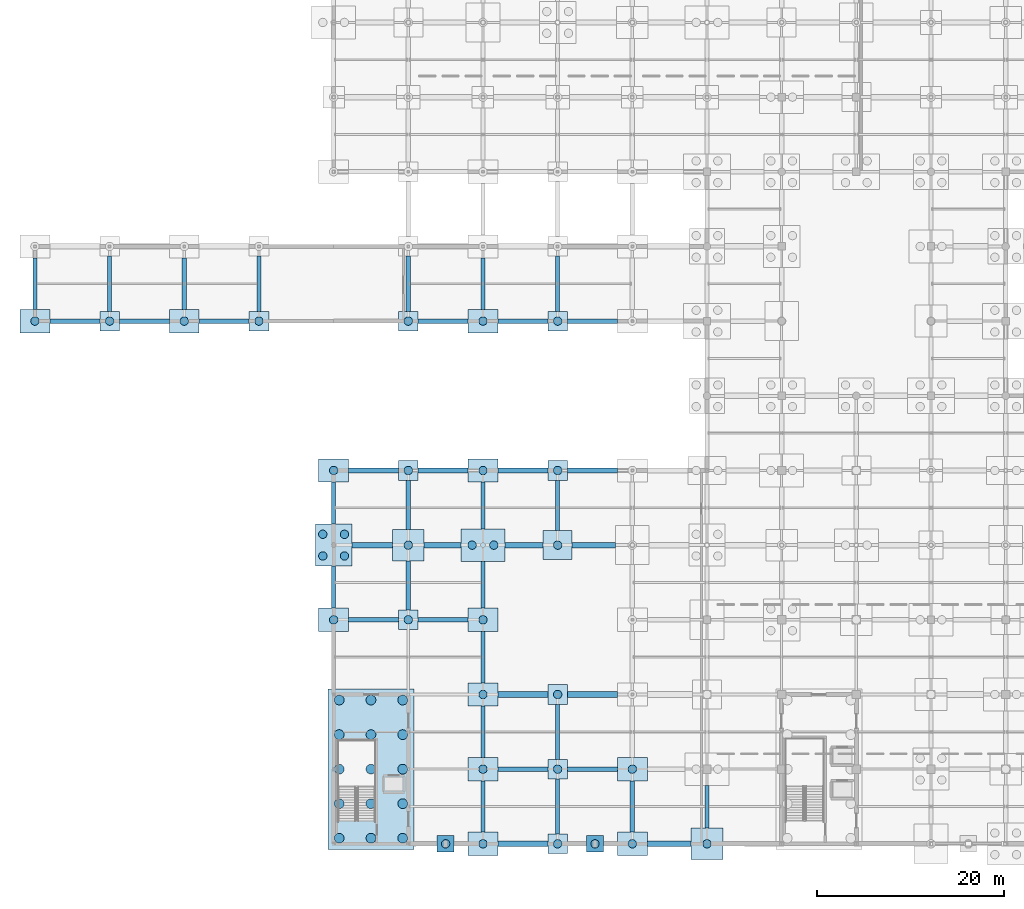
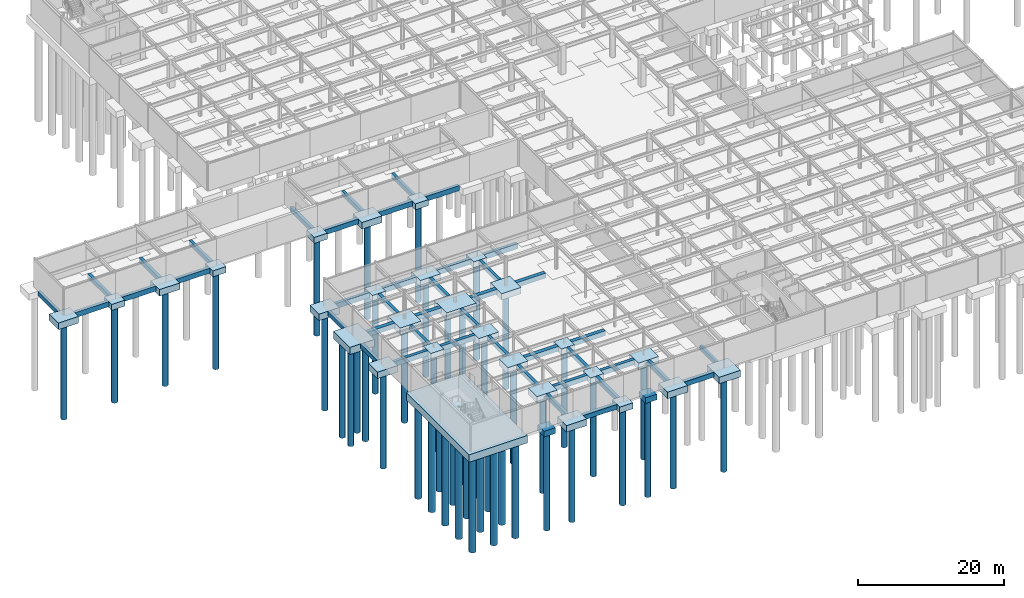
# One storey, part 1 of 105: 73 footings, 48 piles.
"""IFC4 building model written with IfcOpenShell, lengths in metres."""

from ifc_helpers import new_model, si_unit, direction, frame, origin, origin_2d, place, context, subcontext, project, spatial, rectangle, circle, extrude, material, material_profile, profile_set, type_object, element, save


model = new_model("IFC4")

# Units and contexts
model_context = context("Model", 3, precision=1e-05, world=origin(), true_north=direction((0.0, 1.0)))
body_context = subcontext(model_context, "Body", "Model", "MODEL_VIEW")
ifc_project = project(units=[si_unit("LENGTHUNIT", "METRE"), si_unit("AREAUNIT", "SQUARE_METRE"), si_unit("VOLUMEUNIT", "CUBIC_METRE"), si_unit("PLANEANGLEUNIT", "RADIAN"), si_unit("MASSUNIT", "GRAM", prefix="KILO")], contexts=[model_context])

# Site, building, storey
site_placement = place(None, origin())
site = spatial("IfcSite", under=ifc_project, at=site_placement, CompositionType="ELEMENT")
building_placement = place(site_placement, origin())
building = spatial("IfcBuilding", under=site, at=building_placement, Name="Solmirada Galleria", CompositionType="ELEMENT")
storey_placement = place(building_placement, frame((0.0, 0.0, -4.800048828125)))
storey = spatial("IfcBuildingStorey", under=building, at=storey_placement, Name="B1", CompositionType="ELEMENT", Elevation=-4.800048828125)

# Footings
ifc_material_1 = material(Name="Concrete C35/45", Category="concrete")
footing_type_1 = type_object("IfcFootingType", Name="PC-01", PredefinedType="PILE_CAP", material=ifc_material_1)
for number, where, z_axis, x_axis, name in (
    (1, (16.0, 56.0, -1.0), (0.0, 0.0, 1.0), (1.0, 0.0, 0.0), "Pile cap at (16.0, 56.0)"),
    (2, (32.0, 56.0, -1.0), (0.0, 0.0, 1.0), (1.0, 0.0, 0.0), "Pile cap at (32.0, 56.0)"),
    (3, (48.0, 24.0, -1.0), (0.0, 0.0, 1.0), (1.0, 0.0, 0.0), "Pile cap at (48.0, 24.0)"),
    (4, (48.0, 40.0, -1.0), (0.0, 0.0, 1.0), (1.0, 0.0, 0.0), "Pile cap at (48.0, 40.0)"),
    (5, (48.0, 56.0, -1.0), (0.0, 0.0, 1.0), (1.0, 0.0, 0.0), "Pile cap at (48.0, 56.0)"),
    (6, (64.0, 0.0, -1.0), (0.0, 0.0, 1.0), (1.0, 0.0, 0.0), "Pile cap at (64.0, 0.0)"),
    (7, (64.0, 8.0, -1.0), (0.0, 0.0, 1.0), (1.0, 0.0, 0.0), "Pile cap at (64.0, 8.0)"),
    (8, (64.0, 16.0, -1.0), (0.0, 0.0, 1.0), (1.0, 0.0, 0.0), "Pile cap at (64.0, 16.0)"),
    (9, (64.0, 40.0, -1.0), (0.0, 0.0, 1.0), (1.0, 0.0, 0.0), "Pile cap at (64.0, 40.0)"),
    (10, (64.0, 56.0, -1.0), (0.0, 0.0, 1.0), (1.0, 0.0, 0.0), "Pile cap at (64.0, 56.0)"),
):
    element("IfcFooting", number, at=place(storey_placement, frame(where, z_axis=z_axis, x_axis=x_axis)), inside=storey, type_object=footing_type_1, Name=name, PredefinedType="PILE_CAP", context=body_context, shape_type="SweptSolid", body=[
        extrude(rectangle(XDim=2.10009765625, YDim=2.10009765625, at=origin_2d()), origin(), (0.0, 0.0, 1.0), 1.0),
    ])
footing_type_2 = type_object("IfcFootingType", Name="PC-04", PredefinedType="PILE_CAP", material=ifc_material_1)
for number, where, z_axis, x_axis, name in (
    (11, (48.0, 32.0, -1.10009765625), (0.0, 0.0, 1.0), (1.0, 0.0, 0.0), "Pile cap at (48.0, 32.0)"),
    (12, (80.0, 0.0, -1.10009765625), (0.0, 0.0, 1.0), (1.0, 0.0, 0.0), "Pile cap at (80.0, 0.0)"),
):
    element("IfcFooting", number, at=place(storey_placement, frame(where, z_axis=z_axis, x_axis=x_axis)), inside=storey, type_object=footing_type_2, Name=name, PredefinedType="PILE_CAP", context=body_context, shape_type="SweptSolid", body=[
        extrude(rectangle(XDim=3.39990234375, YDim=3.39990234375, at=origin_2d()), origin(), (0.0, 0.0, 1.0), 1.10009765625),
    ])
footing_type_3 = type_object("IfcFootingType", Name="PC-08", PredefinedType="PILE_CAP", material=ifc_material_1)
footing_1_placement = place(storey_placement, frame((56.0, 32.0, -1.19970703125), z_axis=(0.0, 0.0, 1.0), x_axis=(1.0, 0.0, 0.0)))
element("IfcFooting", 13, at=footing_1_placement, inside=storey, type_object=footing_type_3, Name="Pile cap at (56.0, 32.0)", PredefinedType="PILE_CAP", context=body_context, shape_type="SweptSolid", body=[
    extrude(rectangle(XDim=4.699951171875, YDim=3.5, at=origin_2d()), origin(), (0.0, 0.0, 1.0), 1.199951171875),
])
footing_type_4 = type_object("IfcFootingType", Name="PC-10", PredefinedType="PILE_CAP", material=ifc_material_1)
for number, where, z_axis, x_axis, name in (
    (14, (8.0, 56.0, -1.10009765625), (0.0, 0.0, 1.0), (1.0, 0.0, 0.0), "Pile cap at (8.0, 56.0)"),
    (15, (24.0, 56.0, -1.10009765625), (0.0, 0.0, 1.0), (1.0, 0.0, 0.0), "Pile cap at (24.0, 56.0)"),
    (16, (40.0, 24.0, -1.10009765625), (0.0, 0.0, 1.0), (1.0, 0.0, 0.0), "Pile cap at (40.0, 24.0)"),
    (17, (40.0, 40.0, -1.10009765625), (0.0, 0.0, 1.0), (1.0, 0.0, 0.0), "Pile cap at (40.0, 40.0)"),
    (18, (56.0, 0.0, -1.10009765625), (0.0, 0.0, 1.0), (1.0, 0.0, 0.0), "Pile cap at (56.0, 0.0)"),
    (19, (56.0, 8.0, -1.10009765625), (0.0, 0.0, 1.0), (1.0, 0.0, 0.0), "Pile cap at (56.0, 8.0)"),
    (20, (56.0, 16.0, -1.10009765625), (0.0, 0.0, 1.0), (1.0, 0.0, 0.0), "Pile cap at (56.0, 16.0)"),
    (21, (56.0, 24.0, -1.10009765625), (0.0, 0.0, 1.0), (1.0, 0.0, 0.0), "Pile cap at (56.0, 24.0)"),
    (22, (56.0, 40.0, -1.10009765625), (0.0, 0.0, 1.0), (1.0, 0.0, 0.0), "Pile cap at (56.0, 40.0)"),
    (23, (56.0, 56.0, -1.10009765625), (0.0, 0.0, 1.0), (1.0, 0.0, 0.0), "Pile cap at (56.0, 56.0)"),
    (24, (72.0, 0.0, -1.10009765625), (0.0, 0.0, 1.0), (1.0, 0.0, 0.0), "Pile cap at (72.0, 0.0)"),
    (25, (72.0, 8.0, -1.10009765625), (0.0, 0.0, 1.0), (1.0, 0.0, 0.0), "Pile cap at (72.0, 8.0)"),
):
    element("IfcFooting", number, at=place(storey_placement, frame(where, z_axis=z_axis, x_axis=x_axis)), inside=storey, type_object=footing_type_4, Name=name, PredefinedType="PILE_CAP", context=body_context, shape_type="SweptSolid", body=[
        extrude(rectangle(XDim=3.199951171875, YDim=2.5, at=origin_2d()), origin(), (0.0, 0.0, 1.0), 1.10009765625),
    ])
footing_type_5 = type_object("IfcFootingType", Name="PC-15", PredefinedType="PILE_CAP", material=ifc_material_1)
footing_2_placement = place(storey_placement, frame((44.0, 8.0, -1.25), z_axis=(0.0, 0.0, 1.0), x_axis=(1.0, 0.0, 0.0)))
element("IfcFooting", 26, at=footing_2_placement, inside=storey, type_object=footing_type_5, Name="Food Hall Pavilion Core combined pile cap", PredefinedType="PILE_CAP", context=body_context, shape_type="SweptSolid", body=[
    extrude(rectangle(XDim=9.199951171875, YDim=17.199951171875, at=origin_2d()), origin(), (0.0, 0.0, 1.0), 1.25),
])
footing_type_6 = type_object("IfcFootingType", Name="PC-17", PredefinedType="PILE_CAP", material=ifc_material_1)
for number, where, z_axis, x_axis, name in (
    (27, (52.0, 0.0, -0.94970703125), (0.0, 0.0, 1.0), (1.0, 0.0, 0.0), "Pilaster pile cap (52, 0)"),
    (28, (68.0, 0.0, -0.94970703125), (0.0, 0.0, 1.0), (1.0, 0.0, 0.0), "Pilaster pile cap (68, 0)"),
):
    element("IfcFooting", number, at=place(storey_placement, frame(where, z_axis=z_axis, x_axis=x_axis)), inside=storey, type_object=footing_type_6, Name=name, PredefinedType="PILE_CAP", context=body_context, shape_type="SweptSolid", body=[
        extrude(rectangle(XDim=1.800048828125, YDim=1.800048828125, at=origin_2d()), origin(), (0.0, 0.0, 1.0), 0.949951171875),
    ])
footing_type_7 = type_object("IfcFootingType", Name="PC-20", PredefinedType="PILE_CAP", material=ifc_material_1)
footing_3_placement = place(storey_placement, frame((64.0, 32.0, -1.0498046875), z_axis=(0.0, 0.0, 1.0), x_axis=(1.0, 0.0, 0.0)))
element("IfcFooting", 29, at=footing_3_placement, inside=storey, type_object=footing_type_7, Name="Pile cap at (64.0, 32.0)", PredefinedType="PILE_CAP", context=body_context, shape_type="SweptSolid", body=[
    extrude(rectangle(XDim=3.10009765625, YDim=3.10009765625, at=origin_2d()), origin(), (0.0, 0.0, 1.0), 1.050048828125),
])
footing_type_8 = type_object("IfcFootingType", Name="PC-26", PredefinedType="PILE_CAP", material=ifc_material_1)
footing_4_placement = place(storey_placement, frame((40.0, 32.0, -1.19970703125), z_axis=(0.0, 0.0, 1.0), x_axis=(1.0, 0.0, 0.0)))
element("IfcFooting", 30, at=footing_4_placement, inside=storey, type_object=footing_type_8, Name="Pile cap at (40.0, 32.0)", PredefinedType="PILE_CAP", context=body_context, shape_type="SweptSolid", body=[
    extrude(rectangle(XDim=3.89990234375, YDim=4.5, at=origin_2d()), origin(), (0.0, 0.0, 1.0), 1.199951171875),
])

# Piles
ifc_material_2 = material(Name="Concrete C40/50", Category="concrete")
ifc_material_profile_1 = material_profile(ifc_material_2, circle(Radius=0.52490234375, at=origin_2d()), Name="PILE1050")
ifc_profile_set_1 = profile_set([ifc_material_profile_1], Name="Concrete C40/50")
pile_type_1 = type_object("IfcPileType", Name="PILE-1050", PredefinedType="BORED", material=ifc_profile_set_1)
for number, where, z_axis, x_axis, name in (
    (31, (40.60009765625, 0.60009765625, -1.14990234375), (0.0, 0.0, -1.0), (1.0, 0.0, 0.0), "Tampa limestone bored pile C5-01"),
    (32, (40.60009765625, 4.300048828125, -1.14990234375), (0.0, 0.0, -1.0), (1.0, 0.0, 0.0), "Tampa limestone bored pile C5-02"),
    (33, (40.60009765625, 8.0, -1.14990234375), (0.0, 0.0, -1.0), (1.0, 0.0, 0.0), "Tampa limestone bored pile C5-03"),
    (34, (40.60009765625, 11.699951171875, -1.14990234375), (0.0, 0.0, -1.0), (1.0, 0.0, 0.0), "Tampa limestone bored pile C5-04"),
    (35, (40.60009765625, 15.39990234375, -1.14990234375), (0.0, 0.0, -1.0), (1.0, 0.0, 0.0), "Tampa limestone bored pile C5-05"),
    (36, (44.0, 0.60009765625, -1.14990234375), (0.0, 0.0, -1.0), (1.0, 0.0, 0.0), "Tampa limestone bored pile C5-06"),
    (37, (44.0, 4.300048828125, -1.14990234375), (0.0, 0.0, -1.0), (1.0, 0.0, 0.0), "Tampa limestone bored pile C5-07"),
    (38, (44.0, 8.0, -1.14990234375), (0.0, 0.0, -1.0), (1.0, 0.0, 0.0), "Tampa limestone bored pile C5-08"),
    (39, (44.0, 11.699951171875, -1.14990234375), (0.0, 0.0, -1.0), (1.0, 0.0, 0.0), "Tampa limestone bored pile C5-09"),
    (40, (44.0, 15.39990234375, -1.14990234375), (0.0, 0.0, -1.0), (1.0, 0.0, 0.0), "Tampa limestone bored pile C5-10"),
    (41, (47.39990234375, 0.60009765625, -1.14990234375), (0.0, 0.0, -1.0), (1.0, 0.0, 0.0), "Tampa limestone bored pile C5-11"),
    (42, (47.39990234375, 4.300048828125, -1.14990234375), (0.0, 0.0, -1.0), (1.0, 0.0, 0.0), "Tampa limestone bored pile C5-12"),
    (43, (47.39990234375, 8.0, -1.14990234375), (0.0, 0.0, -1.0), (1.0, 0.0, 0.0), "Tampa limestone bored pile C5-13"),
    (44, (47.39990234375, 11.699951171875, -1.14990234375), (0.0, 0.0, -1.0), (1.0, 0.0, 0.0), "Tampa limestone bored pile C5-14"),
    (45, (47.39990234375, 15.39990234375, -1.14990234375), (0.0, 0.0, -1.0), (1.0, 0.0, 0.0), "Tampa limestone bored pile C5-15"),
):
    element("IfcPile", number, at=place(storey_placement, frame(where, z_axis=z_axis, x_axis=x_axis)), inside=storey, type_object=pile_type_1, Name=name, PredefinedType="BORED", context=body_context, shape_type="SweptSolid", body=[
        extrude(circle(Radius=0.52490234375, at=origin_2d()), origin(), (0.0, 0.0, 1.0), 16.050048828125),
    ])
ifc_material_profile_2 = material_profile(ifc_material_2, circle(Radius=0.449951171875, at=origin_2d()), Name="PILE900")
ifc_profile_set_2 = profile_set([ifc_material_profile_2], Name="Concrete C40/50")
pile_type_2 = type_object("IfcPileType", Name="PILE-900", PredefinedType="BORED", material=ifc_profile_set_2)
for number, where, z_axis, x_axis, name in (
    (46, (52.0, 0.0, -0.849853515625), (0.0, 0.0, -1.0), (1.0, 0.0, 0.0), "Pilaster bored pile (52, 0)"),
    (47, (68.0, 0.0, -0.849853515625), (0.0, 0.0, -1.0), (1.0, 0.0, 0.0), "Pilaster bored pile (68, 0)"),
):
    element("IfcPile", number, at=place(storey_placement, frame(where, z_axis=z_axis, x_axis=x_axis)), inside=storey, type_object=pile_type_2, Name=name, PredefinedType="BORED", context=body_context, shape_type="SweptSolid", body=[
        extrude(circle(Radius=0.449951171875, at=origin_2d()), origin(), (0.0, 0.0, 1.0), 16.35009765625),
    ])
pile_1_placement = place(storey_placement, frame((8.0, 56.0, -1.0), z_axis=(0.0, 0.0, -1.0), x_axis=(1.0, 0.0, 0.0)))
element("IfcPile", 48, at=pile_1_placement, inside=storey, type_object=pile_type_2, Name="Bored pile at (8.00, 56.00)", PredefinedType="BORED", context=body_context, shape_type="SweptSolid", body=[
    extrude(circle(Radius=0.449951171875, at=origin_2d()), origin(), (0.0, 0.0, 1.0), 16.199951171875),
])
pile_2_placement = place(storey_placement, frame((16.0, 56.0, -0.89990234375), z_axis=(0.0, 0.0, -1.0), x_axis=(1.0, 0.0, 0.0)))
element("IfcPile", 49, at=pile_2_placement, inside=storey, type_object=pile_type_2, Name="Bored pile at (16.00, 56.00)", PredefinedType="BORED", context=body_context, shape_type="SweptSolid", body=[
    extrude(circle(Radius=0.449951171875, at=origin_2d()), origin(), (0.0, 0.0, 1.0), 16.300048828125),
])
pile_3_placement = place(storey_placement, frame((24.0, 56.0, -1.0), z_axis=(0.0, 0.0, -1.0), x_axis=(1.0, 0.0, 0.0)))
element("IfcPile", 50, at=pile_3_placement, inside=storey, type_object=pile_type_2, Name="Bored pile at (24.00, 56.00)", PredefinedType="BORED", context=body_context, shape_type="SweptSolid", body=[
    extrude(circle(Radius=0.449951171875, at=origin_2d()), origin(), (0.0, 0.0, 1.0), 16.199951171875),
])
pile_4_placement = place(storey_placement, frame((32.0, 56.0, -0.89990234375), z_axis=(0.0, 0.0, -1.0), x_axis=(1.0, 0.0, 0.0)))
element("IfcPile", 51, at=pile_4_placement, inside=storey, type_object=pile_type_2, Name="Bored pile at (32.00, 56.00)", PredefinedType="BORED", context=body_context, shape_type="SweptSolid", body=[
    extrude(circle(Radius=0.449951171875, at=origin_2d()), origin(), (0.0, 0.0, 1.0), 16.300048828125),
])
pile_5_placement = place(storey_placement, frame((40.0, 24.0, -1.0), z_axis=(0.0, 0.0, -1.0), x_axis=(1.0, 0.0, 0.0)))
element("IfcPile", 52, at=pile_5_placement, inside=storey, type_object=pile_type_2, Name="Bored pile at (40.00, 24.00)", PredefinedType="BORED", context=body_context, shape_type="SweptSolid", body=[
    extrude(circle(Radius=0.449951171875, at=origin_2d()), origin(), (0.0, 0.0, 1.0), 16.199951171875),
])
for number, where, z_axis, x_axis, name in (
    (53, (38.840087890625, 30.840087890625, -1.099853515625), (0.0, 0.0, -1.0), (1.0, 0.0, 0.0), "Bored pile at (38.84, 30.84)"),
    (54, (41.159912109375, 30.840087890625, -1.099853515625), (0.0, 0.0, -1.0), (1.0, 0.0, 0.0), "Bored pile at (41.16, 30.84)"),
    (55, (38.840087890625, 33.159912109375, -1.099853515625), (0.0, 0.0, -1.0), (1.0, 0.0, 0.0), "Bored pile at (38.84, 33.16)"),
    (56, (41.159912109375, 33.159912109375, -1.099853515625), (0.0, 0.0, -1.0), (1.0, 0.0, 0.0), "Bored pile at (41.16, 33.16)"),
):
    element("IfcPile", number, at=place(storey_placement, frame(where, z_axis=z_axis, x_axis=x_axis)), inside=storey, type_object=pile_type_2, Name=name, PredefinedType="BORED", context=body_context, shape_type="SweptSolid", body=[
        extrude(circle(Radius=0.449951171875, at=origin_2d()), origin(), (0.0, 0.0, 1.0), 16.10009765625),
    ])
pile_6_placement = place(storey_placement, frame((40.0, 40.0, -1.0), z_axis=(0.0, 0.0, -1.0), x_axis=(1.0, 0.0, 0.0)))
element("IfcPile", 57, at=pile_6_placement, inside=storey, type_object=pile_type_2, Name="Bored pile at (40.00, 40.00)", PredefinedType="BORED", context=body_context, shape_type="SweptSolid", body=[
    extrude(circle(Radius=0.449951171875, at=origin_2d()), origin(), (0.0, 0.0, 1.0), 16.199951171875),
])
pile_7_placement = place(storey_placement, frame((48.0, 24.0, -0.89990234375), z_axis=(0.0, 0.0, -1.0), x_axis=(1.0, 0.0, 0.0)))
element("IfcPile", 58, at=pile_7_placement, inside=storey, type_object=pile_type_2, Name="Bored pile at (48.00, 24.00)", PredefinedType="BORED", context=body_context, shape_type="SweptSolid", body=[
    extrude(circle(Radius=0.449951171875, at=origin_2d()), origin(), (0.0, 0.0, 1.0), 16.300048828125),
])
pile_8_placement = place(storey_placement, frame((48.0, 32.0, -1.0), z_axis=(0.0, 0.0, -1.0), x_axis=(1.0, 0.0, 0.0)))
element("IfcPile", 59, at=pile_8_placement, inside=storey, type_object=pile_type_2, Name="Bored pile at (48.00, 32.00)", PredefinedType="BORED", context=body_context, shape_type="SweptSolid", body=[
    extrude(circle(Radius=0.449951171875, at=origin_2d()), origin(), (0.0, 0.0, 1.0), 16.199951171875),
])
for number, where, z_axis, x_axis, name in (
    (60, (48.0, 40.0, -0.89990234375), (0.0, 0.0, -1.0), (1.0, 0.0, 0.0), "Bored pile at (48.00, 40.00)"),
    (61, (48.0, 56.0, -0.89990234375), (0.0, 0.0, -1.0), (1.0, 0.0, 0.0), "Bored pile at (48.00, 56.00)"),
):
    element("IfcPile", number, at=place(storey_placement, frame(where, z_axis=z_axis, x_axis=x_axis)), inside=storey, type_object=pile_type_2, Name=name, PredefinedType="BORED", context=body_context, shape_type="SweptSolid", body=[
        extrude(circle(Radius=0.449951171875, at=origin_2d()), origin(), (0.0, 0.0, 1.0), 16.300048828125),
    ])
for number, where, z_axis, x_axis, name in (
    (62, (56.0, 0.0, -1.0), (0.0, 0.0, -1.0), (1.0, 0.0, 0.0), "Bored pile at (56.00, 0.00)"),
    (63, (56.0, 8.0, -1.0), (0.0, 0.0, -1.0), (1.0, 0.0, 0.0), "Bored pile at (56.00, 8.00)"),
    (64, (56.0, 16.0, -1.0), (0.0, 0.0, -1.0), (1.0, 0.0, 0.0), "Bored pile at (56.00, 16.00)"),
    (65, (56.0, 24.0, -1.0), (0.0, 0.0, -1.0), (1.0, 0.0, 0.0), "Bored pile at (56.00, 24.00)"),
):
    element("IfcPile", number, at=place(storey_placement, frame(where, z_axis=z_axis, x_axis=x_axis)), inside=storey, type_object=pile_type_2, Name=name, PredefinedType="BORED", context=body_context, shape_type="SweptSolid", body=[
        extrude(circle(Radius=0.449951171875, at=origin_2d()), origin(), (0.0, 0.0, 1.0), 16.199951171875),
    ])
for number, where, z_axis, x_axis, name in (
    (66, (54.840087890625, 32.0, -1.099853515625), (0.0, 0.0, -1.0), (1.0, 0.0, 0.0), "Bored pile at (54.84, 32.00)"),
    (67, (57.159912109375, 32.0, -1.099853515625), (0.0, 0.0, -1.0), (1.0, 0.0, 0.0), "Bored pile at (57.16, 32.00)"),
):
    element("IfcPile", number, at=place(storey_placement, frame(where, z_axis=z_axis, x_axis=x_axis)), inside=storey, type_object=pile_type_2, Name=name, PredefinedType="BORED", context=body_context, shape_type="SweptSolid", body=[
        extrude(circle(Radius=0.449951171875, at=origin_2d()), origin(), (0.0, 0.0, 1.0), 16.10009765625),
    ])
for number, where, z_axis, x_axis, name in (
    (68, (56.0, 40.0, -1.0), (0.0, 0.0, -1.0), (1.0, 0.0, 0.0), "Bored pile at (56.00, 40.00)"),
    (69, (56.0, 56.0, -1.0), (0.0, 0.0, -1.0), (1.0, 0.0, 0.0), "Bored pile at (56.00, 56.00)"),
):
    element("IfcPile", number, at=place(storey_placement, frame(where, z_axis=z_axis, x_axis=x_axis)), inside=storey, type_object=pile_type_2, Name=name, PredefinedType="BORED", context=body_context, shape_type="SweptSolid", body=[
        extrude(circle(Radius=0.449951171875, at=origin_2d()), origin(), (0.0, 0.0, 1.0), 16.199951171875),
    ])
for number, where, z_axis, x_axis, name in (
    (70, (64.0, 0.0, -0.89990234375), (0.0, 0.0, -1.0), (1.0, 0.0, 0.0), "Bored pile at (64.00, 0.00)"),
    (71, (64.0, 8.0, -0.89990234375), (0.0, 0.0, -1.0), (1.0, 0.0, 0.0), "Bored pile at (64.00, 8.00)"),
    (72, (64.0, 16.0, -0.89990234375), (0.0, 0.0, -1.0), (1.0, 0.0, 0.0), "Bored pile at (64.00, 16.00)"),
):
    element("IfcPile", number, at=place(storey_placement, frame(where, z_axis=z_axis, x_axis=x_axis)), inside=storey, type_object=pile_type_2, Name=name, PredefinedType="BORED", context=body_context, shape_type="SweptSolid", body=[
        extrude(circle(Radius=0.449951171875, at=origin_2d()), origin(), (0.0, 0.0, 1.0), 16.300048828125),
    ])
pile_9_placement = place(storey_placement, frame((64.0, 32.0, -0.949951171875), z_axis=(0.0, 0.0, -1.0), x_axis=(1.0, 0.0, 0.0)))
element("IfcPile", 73, at=pile_9_placement, inside=storey, type_object=pile_type_2, Name="Bored pile at (64.00, 32.00)", PredefinedType="BORED", context=body_context, shape_type="SweptSolid", body=[
    extrude(circle(Radius=0.449951171875, at=origin_2d()), origin(), (0.0, 0.0, 1.0), 16.25),
])
for number, where, z_axis, x_axis, name in (
    (74, (64.0, 40.0, -0.89990234375), (0.0, 0.0, -1.0), (1.0, 0.0, 0.0), "Bored pile at (64.00, 40.00)"),
    (75, (64.0, 56.0, -0.89990234375), (0.0, 0.0, -1.0), (1.0, 0.0, 0.0), "Bored pile at (64.00, 56.00)"),
):
    element("IfcPile", number, at=place(storey_placement, frame(where, z_axis=z_axis, x_axis=x_axis)), inside=storey, type_object=pile_type_2, Name=name, PredefinedType="BORED", context=body_context, shape_type="SweptSolid", body=[
        extrude(circle(Radius=0.449951171875, at=origin_2d()), origin(), (0.0, 0.0, 1.0), 16.300048828125),
    ])
for number, where, z_axis, x_axis, name in (
    (76, (72.0, 0.0, -1.0), (0.0, 0.0, -1.0), (1.0, 0.0, 0.0), "Bored pile at (72.00, 0.00)"),
    (77, (72.0, 8.0, -1.0), (0.0, 0.0, -1.0), (1.0, 0.0, 0.0), "Bored pile at (72.00, 8.00)"),
    (78, (80.0, 0.0, -1.0), (0.0, 0.0, -1.0), (1.0, 0.0, 0.0), "Bored pile at (80.00, 0.00)"),
):
    element("IfcPile", number, at=place(storey_placement, frame(where, z_axis=z_axis, x_axis=x_axis)), inside=storey, type_object=pile_type_2, Name=name, PredefinedType="BORED", context=body_context, shape_type="SweptSolid", body=[
        extrude(circle(Radius=0.449951171875, at=origin_2d()), origin(), (0.0, 0.0, 1.0), 16.199951171875),
    ])

# Footings
ifc_material_profile_3 = material_profile(ifc_material_1, rectangle(XDim=0.449951171875, YDim=0.75, at=origin_2d()), Name="RC750X450")
ifc_profile_set_3 = profile_set([ifc_material_profile_3], Name="Concrete C35/45")
footing_type_9 = type_object("IfcFootingType", Name="TB-750X450", PredefinedType="FOOTING_BEAM", material=ifc_profile_set_3)
footing_5_placement = place(storey_placement, frame((8.0, 57.25, -0.375), z_axis=(0.0, 1.0, 0.0), x_axis=(-1.0, 0.0, 0.0)))
element("IfcFooting", 79, at=footing_5_placement, inside=storey, type_object=footing_type_9, Name="Foundation tie beam Y (8, 56..64)", PredefinedType="FOOTING_BEAM", context=body_context, shape_type="SweptSolid", body=[
    extrude(rectangle(XDim=0.449951171875, YDim=0.75, at=origin_2d()), origin(), (0.0, 0.0, 1.0), 5.5),
])
footing_6_placement = place(storey_placement, frame((16.0, 57.050048828125, -0.375), z_axis=(0.0, 1.0, 0.0), x_axis=(-1.0, 0.0, 0.0)))
element("IfcFooting", 80, at=footing_6_placement, inside=storey, type_object=footing_type_9, Name="Foundation tie beam Y (16, 56..64)", PredefinedType="FOOTING_BEAM", context=body_context, shape_type="SweptSolid", body=[
    extrude(rectangle(XDim=0.449951171875, YDim=0.75, at=origin_2d()), origin(), (0.0, 0.0, 1.0), 5.89990234375),
])
footing_7_placement = place(storey_placement, frame((24.0, 57.25, -0.375), z_axis=(0.0, 1.0, 0.0), x_axis=(-1.0, 0.0, 0.0)))
element("IfcFooting", 81, at=footing_7_placement, inside=storey, type_object=footing_type_9, Name="Foundation tie beam Y (24, 56..64)", PredefinedType="FOOTING_BEAM", context=body_context, shape_type="SweptSolid", body=[
    extrude(rectangle(XDim=0.449951171875, YDim=0.75, at=origin_2d()), origin(), (0.0, 0.0, 1.0), 5.5),
])
footing_8_placement = place(storey_placement, frame((32.0, 57.050048828125, -0.375), z_axis=(0.0, 1.0, 0.0), x_axis=(-1.0, 0.0, 0.0)))
element("IfcFooting", 82, at=footing_8_placement, inside=storey, type_object=footing_type_9, Name="Foundation tie beam Y (32, 56..64)", PredefinedType="FOOTING_BEAM", context=body_context, shape_type="SweptSolid", body=[
    extrude(rectangle(XDim=0.449951171875, YDim=0.75, at=origin_2d()), origin(), (0.0, 0.0, 1.0), 5.89990234375),
])
for number, where, z_axis, x_axis, name in (
    (83, (40.0, 25.25, -0.375), (0.0, 1.0, 0.0), (-1.0, 0.0, 0.0), "Foundation tie beam Y (40, 24..32)"),
    (84, (40.0, 34.25, -0.375), (0.0, 1.0, 0.0), (-1.0, 0.0, 0.0), "Foundation tie beam Y (40, 32..40)"),
):
    element("IfcFooting", number, at=place(storey_placement, frame(where, z_axis=z_axis, x_axis=x_axis)), inside=storey, type_object=footing_type_9, Name=name, PredefinedType="FOOTING_BEAM", context=body_context, shape_type="SweptSolid", body=[
        extrude(rectangle(XDim=0.449951171875, YDim=0.75, at=origin_2d()), origin(), (0.0, 0.0, 1.0), 4.5),
    ])
for number, where, z_axis, x_axis, name in (
    (85, (48.0, 25.050048828125, -0.375), (0.0, 1.0, 0.0), (-1.0, 0.0, 0.0), "Foundation tie beam Y (48, 24..32)"),
    (86, (48.0, 33.699951171875, -0.375), (0.0, 1.0, 0.0), (-1.0, 0.0, 0.0), "Foundation tie beam Y (48, 32..40)"),
):
    element("IfcFooting", number, at=place(storey_placement, frame(where, z_axis=z_axis, x_axis=x_axis)), inside=storey, type_object=footing_type_9, Name=name, PredefinedType="FOOTING_BEAM", context=body_context, shape_type="SweptSolid", body=[
        extrude(rectangle(XDim=0.449951171875, YDim=0.75, at=origin_2d()), origin(), (0.0, 0.0, 1.0), 5.25),
    ])
footing_9_placement = place(storey_placement, frame((48.0, 57.050048828125, -0.375), z_axis=(0.0, 1.0, 0.0), x_axis=(-1.0, 0.0, 0.0)))
element("IfcFooting", 87, at=footing_9_placement, inside=storey, type_object=footing_type_9, Name="Foundation tie beam Y (48, 56..64)", PredefinedType="FOOTING_BEAM", context=body_context, shape_type="SweptSolid", body=[
    extrude(rectangle(XDim=0.449951171875, YDim=0.75, at=origin_2d()), origin(), (0.0, 0.0, 1.0), 5.89990234375),
])
for number, where, z_axis, x_axis, name in (
    (88, (56.0, 1.25, -0.375), (0.0, 1.0, 0.0), (-1.0, 0.0, 0.0), "Foundation tie beam Y (56, 0..8)"),
    (89, (56.0, 9.25, -0.375), (0.0, 1.0, 0.0), (-1.0, 0.0, 0.0), "Foundation tie beam Y (56, 8..16)"),
    (90, (56.0, 17.25, -0.375), (0.0, 1.0, 0.0), (-1.0, 0.0, 0.0), "Foundation tie beam Y (56, 16..24)"),
):
    element("IfcFooting", number, at=place(storey_placement, frame(where, z_axis=z_axis, x_axis=x_axis)), inside=storey, type_object=footing_type_9, Name=name, PredefinedType="FOOTING_BEAM", context=body_context, shape_type="SweptSolid", body=[
        extrude(rectangle(XDim=0.449951171875, YDim=0.75, at=origin_2d()), origin(), (0.0, 0.0, 1.0), 5.5),
    ])
for number, where, z_axis, x_axis, name in (
    (91, (56.0, 25.25, -0.375), (0.0, 1.0, 0.0), (-1.0, 0.0, 0.0), "Foundation tie beam Y (56, 24..32)"),
    (92, (56.0, 33.75, -0.375), (0.0, 1.0, 0.0), (-1.0, 0.0, 0.0), "Foundation tie beam Y (56, 32..40)"),
):
    element("IfcFooting", number, at=place(storey_placement, frame(where, z_axis=z_axis, x_axis=x_axis)), inside=storey, type_object=footing_type_9, Name=name, PredefinedType="FOOTING_BEAM", context=body_context, shape_type="SweptSolid", body=[
        extrude(rectangle(XDim=0.449951171875, YDim=0.75, at=origin_2d()), origin(), (0.0, 0.0, 1.0), 5.0),
    ])
footing_10_placement = place(storey_placement, frame((56.0, 57.25, -0.375), z_axis=(0.0, 1.0, 0.0), x_axis=(-1.0, 0.0, 0.0)))
element("IfcFooting", 93, at=footing_10_placement, inside=storey, type_object=footing_type_9, Name="Foundation tie beam Y (56, 56..64)", PredefinedType="FOOTING_BEAM", context=body_context, shape_type="SweptSolid", body=[
    extrude(rectangle(XDim=0.449951171875, YDim=0.75, at=origin_2d()), origin(), (0.0, 0.0, 1.0), 5.5),
])
for number, where, z_axis, x_axis, name in (
    (94, (64.0, 1.050048828125, -0.375), (0.0, 1.0, 0.0), (-1.0, 0.0, 0.0), "Foundation tie beam Y (64, 0..8)"),
    (95, (64.0, 9.050048828125, -0.375), (0.0, 1.0, 0.0), (-1.0, 0.0, 0.0), "Foundation tie beam Y (64, 8..16)"),
):
    element("IfcFooting", number, at=place(storey_placement, frame(where, z_axis=z_axis, x_axis=x_axis)), inside=storey, type_object=footing_type_9, Name=name, PredefinedType="FOOTING_BEAM", context=body_context, shape_type="SweptSolid", body=[
        extrude(rectangle(XDim=0.449951171875, YDim=0.75, at=origin_2d()), origin(), (0.0, 0.0, 1.0), 5.89990234375),
    ])
footing_11_placement = place(storey_placement, frame((64.0, 33.550048828125, -0.375), z_axis=(0.0, 1.0, 0.0), x_axis=(-1.0, 0.0, 0.0)))
element("IfcFooting", 96, at=footing_11_placement, inside=storey, type_object=footing_type_9, Name="Foundation tie beam Y (64, 32..40)", PredefinedType="FOOTING_BEAM", context=body_context, shape_type="SweptSolid", body=[
    extrude(rectangle(XDim=0.449951171875, YDim=0.75, at=origin_2d()), origin(), (0.0, 0.0, 1.0), 5.39990234375),
])
footing_12_placement = place(storey_placement, frame((64.0, 57.050048828125, -0.375), z_axis=(0.0, 1.0, 0.0), x_axis=(-1.0, 0.0, 0.0)))
element("IfcFooting", 97, at=footing_12_placement, inside=storey, type_object=footing_type_9, Name="Foundation tie beam Y (64, 56..64)", PredefinedType="FOOTING_BEAM", context=body_context, shape_type="SweptSolid", body=[
    extrude(rectangle(XDim=0.449951171875, YDim=0.75, at=origin_2d()), origin(), (0.0, 0.0, 1.0), 5.89990234375),
])
footing_13_placement = place(storey_placement, frame((72.0, 1.25, -0.375), z_axis=(0.0, 1.0, 0.0), x_axis=(-1.0, 0.0, 0.0)))
element("IfcFooting", 98, at=footing_13_placement, inside=storey, type_object=footing_type_9, Name="Foundation tie beam Y (72, 0..8)", PredefinedType="FOOTING_BEAM", context=body_context, shape_type="SweptSolid", body=[
    extrude(rectangle(XDim=0.449951171875, YDim=0.75, at=origin_2d()), origin(), (0.0, 0.0, 1.0), 5.5),
])
footing_14_placement = place(storey_placement, frame((80.0, 1.699951171875, -0.375), z_axis=(0.0, 1.0, 0.0), x_axis=(-1.0, 0.0, 0.0)))
element("IfcFooting", 99, at=footing_14_placement, inside=storey, type_object=footing_type_9, Name="Foundation tie beam Y (80, 0..8)", PredefinedType="FOOTING_BEAM", context=body_context, shape_type="SweptSolid", body=[
    extrude(rectangle(XDim=0.449951171875, YDim=0.75, at=origin_2d()), origin(), (0.0, 0.0, 1.0), 4.550048828125),
])
ifc_material_profile_4 = material_profile(ifc_material_1, rectangle(XDim=0.60009765625, YDim=0.800048828125, at=origin_2d()), Name="RC800X600")
ifc_profile_set_4 = profile_set([ifc_material_profile_4], Name="Concrete C35/45")
footing_type_10 = type_object("IfcFootingType", Name="TB-800X600", PredefinedType="FOOTING_BEAM", material=ifc_profile_set_4)
footing_15_placement = place(storey_placement, frame((41.949951171875, 32.0, -0.39990234375), z_axis=(1.0, 0.0, 0.0), x_axis=(0.0, 1.0, 0.0)))
element("IfcFooting", 100, at=footing_15_placement, inside=storey, type_object=footing_type_10, Name="Foundation tie beam X (40..48, 32)", PredefinedType="FOOTING_BEAM", context=body_context, shape_type="SweptSolid", body=[
    extrude(rectangle(XDim=0.60009765625, YDim=0.800048828125, at=origin_2d()), origin(), (0.0, 0.0, 1.0), 4.35009765625),
])
footing_16_placement = place(storey_placement, frame((49.699951171875, 32.0, -0.39990234375), z_axis=(1.0, 0.0, 0.0), x_axis=(0.0, 1.0, 0.0)))
element("IfcFooting", 101, at=footing_16_placement, inside=storey, type_object=footing_type_10, Name="Foundation tie beam X (48..56, 32)", PredefinedType="FOOTING_BEAM", context=body_context, shape_type="SweptSolid", body=[
    extrude(rectangle(XDim=0.60009765625, YDim=0.800048828125, at=origin_2d()), origin(), (0.0, 0.0, 1.0), 3.949951171875),
])
for number, where, z_axis, x_axis, name in (
    (102, (57.60009765625, 0.0, -0.39990234375), (1.0, 0.0, 0.0), (0.0, 1.0, 0.0), "Foundation tie beam X (56..64, 0)"),
    (103, (57.60009765625, 16.0, -0.39990234375), (1.0, 0.0, 0.0), (0.0, 1.0, 0.0), "Foundation tie beam X (56..64, 16)"),
):
    element("IfcFooting", number, at=place(storey_placement, frame(where, z_axis=z_axis, x_axis=x_axis)), inside=storey, type_object=footing_type_10, Name=name, PredefinedType="FOOTING_BEAM", context=body_context, shape_type="SweptSolid", body=[
        extrude(rectangle(XDim=0.60009765625, YDim=0.800048828125, at=origin_2d()), origin(), (0.0, 0.0, 1.0), 5.349853515625),
    ])
footing_17_placement = place(storey_placement, frame((58.35009765625, 32.0, -0.39990234375), z_axis=(1.0, 0.0, 0.0), x_axis=(0.0, 1.0, 0.0)))
element("IfcFooting", 104, at=footing_17_placement, inside=storey, type_object=footing_type_10, Name="Foundation tie beam X (56..64, 32)", PredefinedType="FOOTING_BEAM", context=body_context, shape_type="SweptSolid", body=[
    extrude(rectangle(XDim=0.60009765625, YDim=0.800048828125, at=origin_2d()), origin(), (0.0, 0.0, 1.0), 4.099853515625),
])
footing_18_placement = place(storey_placement, frame((65.050048828125, 16.0, -0.39990234375), z_axis=(1.0, 0.0, 0.0), x_axis=(0.0, 1.0, 0.0)))
element("IfcFooting", 105, at=footing_18_placement, inside=storey, type_object=footing_type_10, Name="Foundation tie beam X (64..72, 16)", PredefinedType="FOOTING_BEAM", context=body_context, shape_type="SweptSolid", body=[
    extrude(rectangle(XDim=0.60009765625, YDim=0.800048828125, at=origin_2d()), origin(), (0.0, 0.0, 1.0), 5.349853515625),
])
footing_19_placement = place(storey_placement, frame((65.550048828125, 32.0, -0.39990234375), z_axis=(1.0, 0.0, 0.0), x_axis=(0.0, 1.0, 0.0)))
element("IfcFooting", 106, at=footing_19_placement, inside=storey, type_object=footing_type_10, Name="Foundation tie beam X (64..72, 32)", PredefinedType="FOOTING_BEAM", context=body_context, shape_type="SweptSolid", body=[
    extrude(rectangle(XDim=0.60009765625, YDim=0.800048828125, at=origin_2d()), origin(), (0.0, 0.0, 1.0), 4.64990234375),
])
footing_20_placement = place(storey_placement, frame((73.60009765625, 0.0, -0.39990234375), z_axis=(1.0, 0.0, 0.0), x_axis=(0.0, 1.0, 0.0)))
element("IfcFooting", 107, at=footing_20_placement, inside=storey, type_object=footing_type_10, Name="Foundation tie beam X (72..80, 0)", PredefinedType="FOOTING_BEAM", context=body_context, shape_type="SweptSolid", body=[
    extrude(rectangle(XDim=0.60009765625, YDim=0.800048828125, at=origin_2d()), origin(), (0.0, 0.0, 1.0), 4.699951171875),
])
ifc_material_profile_5 = material_profile(ifc_material_1, rectangle(XDim=0.5, YDim=0.85009765625, at=origin_2d()), Name="RC850X500")
ifc_profile_set_5 = profile_set([ifc_material_profile_5], Name="Concrete C35/45")
footing_type_11 = type_object("IfcFootingType", Name="TB-850X500", PredefinedType="FOOTING_BEAM", material=ifc_profile_set_5)
for number, where, z_axis, x_axis, name in (
    (108, (9.60009765625, 56.0, -0.425048828125), (1.0, 0.0, 0.0), (0.0, 1.0, 0.0), "Foundation tie beam X (8..16, 56)"),
    (109, (17.050048828125, 56.0, -0.425048828125), (1.0, 0.0, 0.0), (0.0, 1.0, 0.0), "Foundation tie beam X (16..24, 56)"),
    (110, (25.60009765625, 56.0, -0.425048828125), (1.0, 0.0, 0.0), (0.0, 1.0, 0.0), "Foundation tie beam X (24..32, 56)"),
    (111, (41.60009765625, 24.0, -0.425048828125), (1.0, 0.0, 0.0), (0.0, 1.0, 0.0), "Foundation tie beam X (40..48, 24)"),
    (112, (41.60009765625, 40.0, -0.425048828125), (1.0, 0.0, 0.0), (0.0, 1.0, 0.0), "Foundation tie beam X (40..48, 40)"),
    (113, (49.050048828125, 24.0, -0.425048828125), (1.0, 0.0, 0.0), (0.0, 1.0, 0.0), "Foundation tie beam X (48..56, 24)"),
    (114, (49.050048828125, 40.0, -0.425048828125), (1.0, 0.0, 0.0), (0.0, 1.0, 0.0), "Foundation tie beam X (48..56, 40)"),
    (115, (49.050048828125, 56.0, -0.425048828125), (1.0, 0.0, 0.0), (0.0, 1.0, 0.0), "Foundation tie beam X (48..56, 56)"),
    (116, (57.60009765625, 8.0, -0.425048828125), (1.0, 0.0, 0.0), (0.0, 1.0, 0.0), "Foundation tie beam X (56..64, 8)"),
    (117, (57.60009765625, 40.0, -0.425048828125), (1.0, 0.0, 0.0), (0.0, 1.0, 0.0), "Foundation tie beam X (56..64, 40)"),
    (118, (57.60009765625, 56.0, -0.425048828125), (1.0, 0.0, 0.0), (0.0, 1.0, 0.0), "Foundation tie beam X (56..64, 56)"),
    (119, (65.050048828125, 8.0, -0.425048828125), (1.0, 0.0, 0.0), (0.0, 1.0, 0.0), "Foundation tie beam X (64..72, 8)"),
    (120, (65.050048828125, 40.0, -0.425048828125), (1.0, 0.0, 0.0), (0.0, 1.0, 0.0), "Foundation tie beam X (64..72, 40)"),
    (121, (65.050048828125, 56.0, -0.425048828125), (1.0, 0.0, 0.0), (0.0, 1.0, 0.0), "Foundation tie beam X (64..72, 56)"),
):
    element("IfcFooting", number, at=place(storey_placement, frame(where, z_axis=z_axis, x_axis=x_axis)), inside=storey, type_object=footing_type_11, Name=name, PredefinedType="FOOTING_BEAM", context=body_context, shape_type="SweptSolid", body=[
        extrude(rectangle(XDim=0.5, YDim=0.85009765625, at=origin_2d()), origin(), (0.0, 0.0, 1.0), 5.349853515625),
    ])

save(model, "model.ifc")
